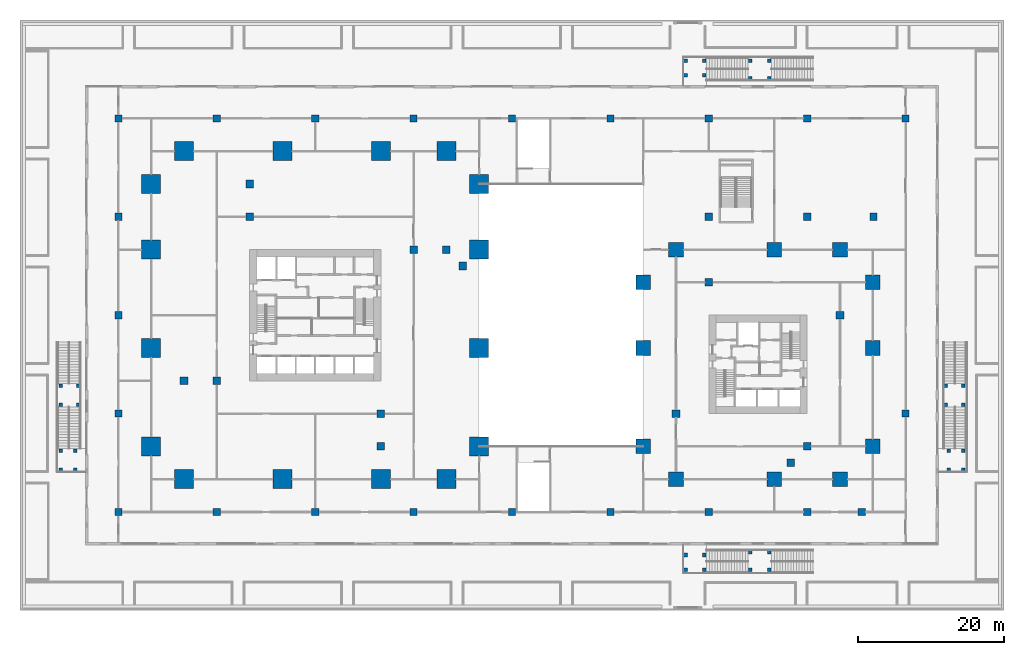
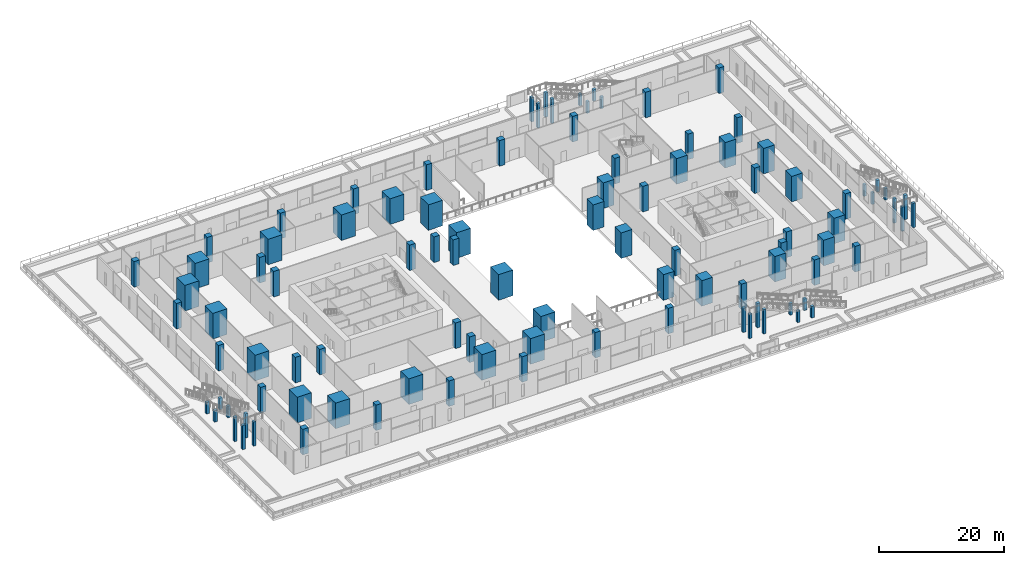
# One storey, part 1 of 49: 99 columns.
"""IFC4 building model written with IfcOpenShell, lengths in metres."""

from ifc_helpers import new_model, si_unit, direction, frame, origin, origin_2d, place, context, subcontext, project, spatial, rectangle, extrude, material, material_profile, profile_set, type_object, element, save


model = new_model("IFC4")

# Units and contexts
model_context = context("Model", 3, precision=1e-05, world=origin(), true_north=direction((0.0, 1.0)))
body_context = subcontext(model_context, "Body", "Model", "MODEL_VIEW")
ifc_project = project(units=[si_unit("LENGTHUNIT", "METRE"), si_unit("AREAUNIT", "SQUARE_METRE"), si_unit("VOLUMEUNIT", "CUBIC_METRE"), si_unit("PLANEANGLEUNIT", "RADIAN"), si_unit("MASSUNIT", "GRAM", prefix="KILO")], contexts=[model_context])

# Site, building, storey
site_placement = place(None, origin())
site = spatial("IfcSite", under=ifc_project, at=site_placement, CompositionType="ELEMENT")
building_placement = place(site_placement, origin())
building = spatial("IfcBuilding", under=site, at=building_placement, Name="Altepetl Exchange Towers", CompositionType="ELEMENT")
storey_placement = place(building_placement, frame((0.0, 0.0, 11.5)))
storey = spatial("IfcBuildingStorey", under=building, at=storey_placement, Name="L02 Exchange podium", CompositionType="ELEMENT", Elevation=11.5)

# Columns
ifc_material_1 = material(Name="Concrete C35/45", Category="concrete")
ifc_material_profile_1 = material_profile(ifc_material_1, rectangle(XDim=0.5, YDim=0.5, at=origin_2d()), Name="500 x 500")
ifc_profile_set_1 = profile_set([ifc_material_profile_1], Name="Concrete C35/45")
column_type_1 = type_object("IfcColumnType", Name="Garden steps pier 500", PredefinedType="COLUMN", material=ifc_profile_set_1)
for number, where, name in (
    (1, (100.300048828125, 16.60009765625, 0.0), "col:P:L02:R3pier0"),
    (2, (100.300048828125, 14.60009765625, 0.0), "col:P:L02:R3pier1"),
    (3, (102.89990234375, 16.60009765625, 0.0), "col:P:L02:R3pier2"),
    (4, (102.89990234375, 14.60009765625, 0.0), "col:P:L02:R3pier3"),
):
    element("IfcColumn", number, at=place(storey_placement, frame(where)), inside=storey, type_object=column_type_1, Name=name, PredefinedType="COLUMN", context=body_context, shape_type="SweptSolid", body=[
        extrude(rectangle(XDim=0.5, YDim=0.5, at=origin_2d()), origin(), (0.0, 0.0, 1.0), 4.75),
    ])
for number, where, name in (
    (5, (109.199951171875, 17.0, 0.0), "col:P:L02:R3pier4"),
    (6, (109.199951171875, 14.60009765625, 0.0), "col:P:L02:R3pier5"),
    (7, (111.800048828125, 17.0, 0.0), "col:P:L02:R3pier6"),
    (8, (111.800048828125, 14.60009765625, 0.0), "col:P:L02:R3pier7"),
):
    element("IfcColumn", number, at=place(storey_placement, frame(where)), inside=storey, type_object=column_type_1, Name=name, PredefinedType="COLUMN", context=body_context, shape_type="SweptSolid", body=[
        extrude(rectangle(XDim=0.5, YDim=0.5, at=origin_2d()), origin(), (0.0, 0.0, 1.0), 2.25),
    ])
for number, where, name in (
    (9, (100.300048828125, 82.39990234375, 0.0), "col:P:L02:R4pier0"),
    (10, (100.300048828125, 84.39990234375, 0.0), "col:P:L02:R4pier1"),
    (11, (102.89990234375, 82.39990234375, 0.0), "col:P:L02:R4pier2"),
    (12, (102.89990234375, 84.39990234375, 0.0), "col:P:L02:R4pier3"),
):
    element("IfcColumn", number, at=place(storey_placement, frame(where)), inside=storey, type_object=column_type_1, Name=name, PredefinedType="COLUMN", context=body_context, shape_type="SweptSolid", body=[
        extrude(rectangle(XDim=0.5, YDim=0.5, at=origin_2d()), origin(), (0.0, 0.0, 1.0), 4.75),
    ])
for number, where, name in (
    (13, (109.199951171875, 82.0, 0.0), "col:P:L02:R4pier4"),
    (14, (109.199951171875, 84.39990234375, 0.0), "col:P:L02:R4pier5"),
    (15, (111.800048828125, 82.0, 0.0), "col:P:L02:R4pier6"),
    (16, (111.800048828125, 84.39990234375, 0.0), "col:P:L02:R4pier7"),
):
    element("IfcColumn", number, at=place(storey_placement, frame(where)), inside=storey, type_object=column_type_1, Name=name, PredefinedType="COLUMN", context=body_context, shape_type="SweptSolid", body=[
        extrude(rectangle(XDim=0.5, YDim=0.5, at=origin_2d()), origin(), (0.0, 0.0, 1.0), 2.25),
    ])
for number, where, name in (
    (17, (16.60009765625, 28.300048828125, 0.0), "col:P:L02:R5pier0"),
    (18, (14.60009765625, 28.300048828125, 0.0), "col:P:L02:R5pier1"),
    (19, (16.60009765625, 30.89990234375, 0.0), "col:P:L02:R5pier2"),
    (20, (14.60009765625, 30.89990234375, 0.0), "col:P:L02:R5pier3"),
):
    element("IfcColumn", number, at=place(storey_placement, frame(where)), inside=storey, type_object=column_type_1, Name=name, PredefinedType="COLUMN", context=body_context, shape_type="SweptSolid", body=[
        extrude(rectangle(XDim=0.5, YDim=0.5, at=origin_2d()), origin(), (0.0, 0.0, 1.0), 4.75),
    ])
for number, where, name in (
    (21, (17.0, 37.199951171875, 0.0), "col:P:L02:R5pier4"),
    (22, (14.60009765625, 37.199951171875, 0.0), "col:P:L02:R5pier5"),
    (23, (17.0, 39.800048828125, 0.0), "col:P:L02:R5pier6"),
    (24, (14.60009765625, 39.800048828125, 0.0), "col:P:L02:R5pier7"),
):
    element("IfcColumn", number, at=place(storey_placement, frame(where)), inside=storey, type_object=column_type_1, Name=name, PredefinedType="COLUMN", context=body_context, shape_type="SweptSolid", body=[
        extrude(rectangle(XDim=0.5, YDim=0.5, at=origin_2d()), origin(), (0.0, 0.0, 1.0), 2.25),
    ])
for number, where, name in (
    (25, (136.39990234375, 28.300048828125, 0.0), "col:P:L02:R6pier0"),
    (26, (138.39990234375, 28.300048828125, 0.0), "col:P:L02:R6pier1"),
    (27, (136.39990234375, 30.89990234375, 0.0), "col:P:L02:R6pier2"),
    (28, (138.39990234375, 30.89990234375, 0.0), "col:P:L02:R6pier3"),
):
    element("IfcColumn", number, at=place(storey_placement, frame(where)), inside=storey, type_object=column_type_1, Name=name, PredefinedType="COLUMN", context=body_context, shape_type="SweptSolid", body=[
        extrude(rectangle(XDim=0.5, YDim=0.5, at=origin_2d()), origin(), (0.0, 0.0, 1.0), 4.75),
    ])
for number, where, name in (
    (29, (136.0, 37.199951171875, 0.0), "col:P:L02:R6pier4"),
    (30, (138.39990234375, 37.199951171875, 0.0), "col:P:L02:R6pier5"),
    (31, (136.0, 39.800048828125, 0.0), "col:P:L02:R6pier6"),
    (32, (138.39990234375, 39.800048828125, 0.0), "col:P:L02:R6pier7"),
):
    element("IfcColumn", number, at=place(storey_placement, frame(where)), inside=storey, type_object=column_type_1, Name=name, PredefinedType="COLUMN", context=body_context, shape_type="SweptSolid", body=[
        extrude(rectangle(XDim=0.5, YDim=0.5, at=origin_2d()), origin(), (0.0, 0.0, 1.0), 2.25),
    ])
ifc_material_2 = material(Name="Concrete C70/85", Category="concrete")
ifc_material_profile_2 = material_profile(ifc_material_2, rectangle(XDim=1.050048828125, YDim=1.050048828125, at=origin_2d()), Name="1050 x 1050")
ifc_profile_set_2 = profile_set([ifc_material_profile_2], Name="Concrete C70/85")
column_type_2 = type_object("IfcColumnType", Name="Interior column 1050", PredefinedType="COLUMN", material=ifc_profile_set_2)
for number, where, name in (
    (33, (31.5, 40.5, 0.0), "col:A:L02:040"),
    (34, (36.0, 40.5, 0.0), "col:A:L02:041"),
    (35, (40.5, 63.0, 0.0), "col:A:L02:042"),
    (36, (40.5, 67.5, 0.0), "col:A:L02:043"),
    (37, (58.5, 31.5, 0.0), "col:A:L02:044"),
    (38, (58.5, 36.0, 0.0), "col:A:L02:045"),
    (39, (63.0, 58.5, 0.0), "col:A:L02:046"),
    (40, (67.5, 58.5, 0.0), "col:A:L02:047"),
    (41, (69.75, 56.25, 0.0), "col:A:L02:048"),
    (42, (99.0, 36.0, 0.0), "col:B:L02:028"),
    (43, (103.5, 54.0, 0.0), "col:B:L02:029"),
    (44, (114.75, 29.25, 0.0), "col:B:L02:030"),
    (45, (117.0, 31.5, 0.0), "col:B:L02:031"),
    (46, (121.5, 49.5, 0.0), "col:B:L02:032"),
):
    element("IfcColumn", number, at=place(storey_placement, frame(where)), inside=storey, type_object=column_type_2, Name=name, PredefinedType="COLUMN", context=body_context, shape_type="SweptSolid", body=[
        extrude(rectangle(XDim=1.050048828125, YDim=1.050048828125, at=origin_2d()), origin(), (0.0, 0.0, 1.0), 5.0),
    ])
ifc_material_3 = material(Name="Concrete C70/85 precast with cantera amarilla facing", Category="concrete")
ifc_material_profile_3 = material_profile(ifc_material_3, rectangle(XDim=2.0, YDim=2.0, at=origin_2d()), Name="2000 x 2000")
ifc_profile_set_3 = profile_set([ifc_material_profile_3], Name="Concrete C70/85 precast with cantera amarilla facing")
column_type_3 = type_object("IfcColumnType", Name="Mega-column 2000 cantera amarilla", PredefinedType="COLUMN", material=ifc_profile_set_3)
for number, where, name in (
    (47, (112.5, 58.5, 0.0), "col:B:L02:m06"),
    (48, (121.5, 58.5, 0.0), "col:B:L02:m08"),
    (49, (126.0, 54.0, 0.0), "col:B:L02:m11"),
):
    element("IfcColumn", number, at=place(storey_placement, frame(where)), inside=storey, type_object=column_type_3, Name=name, PredefinedType="COLUMN", context=body_context, shape_type="SweptSolid", body=[
        extrude(rectangle(XDim=2.0, YDim=2.0, at=origin_2d()), origin(), (0.0, 0.0, 1.0), 5.0),
    ])
ifc_material_4 = material(Name="Concrete C70/85 precast with cantera blanca facing", Category="concrete")
ifc_material_profile_4 = material_profile(ifc_material_4, rectangle(XDim=2.0, YDim=2.0, at=origin_2d()), Name="2000 x 2000")
ifc_profile_set_4 = profile_set([ifc_material_profile_4], Name="Concrete C70/85 precast with cantera blanca facing")
column_type_4 = type_object("IfcColumnType", Name="Mega-column 2000 cantera blanca", PredefinedType="COLUMN", material=ifc_profile_set_4)
for number, where, name in (
    (50, (121.5, 27.0, 0.0), "col:B:L02:m07"),
    (51, (126.0, 31.5, 0.0), "col:B:L02:m09"),
    (52, (126.0, 45.0, 0.0), "col:B:L02:m10"),
):
    element("IfcColumn", number, at=place(storey_placement, frame(where)), inside=storey, type_object=column_type_4, Name=name, PredefinedType="COLUMN", context=body_context, shape_type="SweptSolid", body=[
        extrude(rectangle(XDim=2.0, YDim=2.0, at=origin_2d()), origin(), (0.0, 0.0, 1.0), 5.0),
    ])
ifc_material_5 = material(Name="Concrete C70/85 precast with cantera rosa facing", Category="concrete")
ifc_material_profile_5 = material_profile(ifc_material_5, rectangle(XDim=2.0, YDim=2.0, at=origin_2d()), Name="2000 x 2000")
ifc_profile_set_5 = profile_set([ifc_material_profile_5], Name="Concrete C70/85 precast with cantera rosa facing")
column_type_5 = type_object("IfcColumnType", Name="Mega-column 2000 cantera rosa", PredefinedType="COLUMN", material=ifc_profile_set_5)
for number, where, name in (
    (53, (94.5, 45.0, 0.0), "col:B:L02:m01"),
    (54, (94.5, 54.0, 0.0), "col:B:L02:m02"),
    (55, (99.0, 58.5, 0.0), "col:B:L02:m04"),
):
    element("IfcColumn", number, at=place(storey_placement, frame(where)), inside=storey, type_object=column_type_5, Name=name, PredefinedType="COLUMN", context=body_context, shape_type="SweptSolid", body=[
        extrude(rectangle(XDim=2.0, YDim=2.0, at=origin_2d()), origin(), (0.0, 0.0, 1.0), 5.0),
    ])
ifc_material_6 = material(Name="Concrete C70/85 precast with tezontle facing", Category="concrete")
ifc_material_profile_6 = material_profile(ifc_material_6, rectangle(XDim=2.0, YDim=2.0, at=origin_2d()), Name="2000 x 2000")
ifc_profile_set_6 = profile_set([ifc_material_profile_6], Name="Concrete C70/85 precast with tezontle facing")
column_type_6 = type_object("IfcColumnType", Name="Mega-column 2000 tezontle", PredefinedType="COLUMN", material=ifc_profile_set_6)
for number, where, name in (
    (56, (94.5, 31.5, 0.0), "col:B:L02:m00"),
    (57, (99.0, 27.0, 0.0), "col:B:L02:m03"),
    (58, (112.5, 27.0, 0.0), "col:B:L02:m05"),
):
    element("IfcColumn", number, at=place(storey_placement, frame(where)), inside=storey, type_object=column_type_6, Name=name, PredefinedType="COLUMN", context=body_context, shape_type="SweptSolid", body=[
        extrude(rectangle(XDim=2.0, YDim=2.0, at=origin_2d()), origin(), (0.0, 0.0, 1.0), 5.0),
    ])
ifc_material_profile_7 = material_profile(ifc_material_3, rectangle(XDim=2.60009765625, YDim=2.60009765625, at=origin_2d()), Name="2600 x 2600")
ifc_profile_set_7 = profile_set([ifc_material_profile_7], Name="Concrete C70/85 precast with cantera amarilla facing")
column_type_7 = type_object("IfcColumnType", Name="Mega-column 2600 cantera amarilla", PredefinedType="COLUMN", material=ifc_profile_set_7)
for number, where, name in (
    (59, (58.5, 27.0, 0.0), "col:A:L02:m08"),
    (60, (67.5, 27.0, 0.0), "col:A:L02:m10"),
    (61, (72.0, 31.5, 0.0), "col:A:L02:m12"),
    (62, (72.0, 45.0, 0.0), "col:A:L02:m13"),
):
    element("IfcColumn", number, at=place(storey_placement, frame(where)), inside=storey, type_object=column_type_7, Name=name, PredefinedType="COLUMN", context=body_context, shape_type="SweptSolid", body=[
        extrude(rectangle(XDim=2.60009765625, YDim=2.60009765625, at=origin_2d()), origin(), (0.0, 0.0, 1.0), 5.0),
    ])
ifc_material_profile_8 = material_profile(ifc_material_4, rectangle(XDim=2.60009765625, YDim=2.60009765625, at=origin_2d()), Name="2600 x 2600")
ifc_profile_set_8 = profile_set([ifc_material_profile_8], Name="Concrete C70/85 precast with cantera blanca facing")
column_type_8 = type_object("IfcColumnType", Name="Mega-column 2600 cantera blanca", PredefinedType="COLUMN", material=ifc_profile_set_8)
for number, where, name in (
    (63, (27.0, 31.5, 0.0), "col:A:L02:m00"),
    (64, (31.5, 27.0, 0.0), "col:A:L02:m04"),
    (65, (45.0, 27.0, 0.0), "col:A:L02:m06"),
):
    element("IfcColumn", number, at=place(storey_placement, frame(where)), inside=storey, type_object=column_type_8, Name=name, PredefinedType="COLUMN", context=body_context, shape_type="SweptSolid", body=[
        extrude(rectangle(XDim=2.60009765625, YDim=2.60009765625, at=origin_2d()), origin(), (0.0, 0.0, 1.0), 5.0),
    ])
ifc_material_profile_9 = material_profile(ifc_material_5, rectangle(XDim=2.60009765625, YDim=2.60009765625, at=origin_2d()), Name="2600 x 2600")
ifc_profile_set_9 = profile_set([ifc_material_profile_9], Name="Concrete C70/85 precast with cantera rosa facing")
column_type_9 = type_object("IfcColumnType", Name="Mega-column 2600 cantera rosa", PredefinedType="COLUMN", material=ifc_profile_set_9)
for number, where, name in (
    (66, (45.0, 72.0, 0.0), "col:A:L02:m07"),
    (67, (58.5, 72.0, 0.0), "col:A:L02:m09"),
    (68, (67.5, 72.0, 0.0), "col:A:L02:m11"),
    (69, (72.0, 58.5, 0.0), "col:A:L02:m14"),
    (70, (72.0, 67.5, 0.0), "col:A:L02:m15"),
):
    element("IfcColumn", number, at=place(storey_placement, frame(where)), inside=storey, type_object=column_type_9, Name=name, PredefinedType="COLUMN", context=body_context, shape_type="SweptSolid", body=[
        extrude(rectangle(XDim=2.60009765625, YDim=2.60009765625, at=origin_2d()), origin(), (0.0, 0.0, 1.0), 5.0),
    ])
ifc_material_profile_10 = material_profile(ifc_material_6, rectangle(XDim=2.60009765625, YDim=2.60009765625, at=origin_2d()), Name="2600 x 2600")
ifc_profile_set_10 = profile_set([ifc_material_profile_10], Name="Concrete C70/85 precast with tezontle facing")
column_type_10 = type_object("IfcColumnType", Name="Mega-column 2600 tezontle", PredefinedType="COLUMN", material=ifc_profile_set_10)
for number, where, name in (
    (71, (27.0, 45.0, 0.0), "col:A:L02:m01"),
    (72, (27.0, 58.5, 0.0), "col:A:L02:m02"),
    (73, (27.0, 67.5, 0.0), "col:A:L02:m03"),
    (74, (31.5, 72.0, 0.0), "col:A:L02:m05"),
):
    element("IfcColumn", number, at=place(storey_placement, frame(where)), inside=storey, type_object=column_type_10, Name=name, PredefinedType="COLUMN", context=body_context, shape_type="SweptSolid", body=[
        extrude(rectangle(XDim=2.60009765625, YDim=2.60009765625, at=origin_2d()), origin(), (0.0, 0.0, 1.0), 5.0),
    ])
ifc_material_profile_11 = material_profile(ifc_material_2, rectangle(XDim=1.0, YDim=1.0, at=origin_2d()), Name="1000 x 1000")
ifc_profile_set_11 = profile_set([ifc_material_profile_11], Name="Concrete C70/85")
column_type_11 = type_object("IfcColumnType", Name="Podium column 1000", PredefinedType="COLUMN", material=ifc_profile_set_11)
for number, where, name in (
    (75, (22.5, 22.5, 0.0), "col:P:L02:000"),
    (76, (22.5, 36.0, 0.0), "col:P:L02:001"),
    (77, (22.5, 49.5, 0.0), "col:P:L02:002"),
    (78, (22.5, 63.0, 0.0), "col:P:L02:003"),
    (79, (22.5, 76.5, 0.0), "col:P:L02:004"),
    (80, (36.0, 22.5, 0.0), "col:P:L02:005"),
    (81, (36.0, 76.5, 0.0), "col:P:L02:006"),
    (82, (49.5, 22.5, 0.0), "col:P:L02:007"),
    (83, (49.5, 76.5, 0.0), "col:P:L02:008"),
    (84, (63.0, 22.5, 0.0), "col:P:L02:009"),
    (85, (63.0, 76.5, 0.0), "col:P:L02:010"),
    (86, (76.5, 22.5, 0.0), "col:P:L02:011"),
    (87, (76.5, 76.5, 0.0), "col:P:L02:012"),
    (88, (90.0, 22.5, 0.0), "col:P:L02:013"),
    (89, (90.0, 76.5, 0.0), "col:P:L02:014"),
    (90, (103.5, 22.5, 0.0), "col:P:L02:015"),
    (91, (103.5, 63.0, 0.0), "col:P:L02:016"),
    (92, (103.5, 76.5, 0.0), "col:P:L02:017"),
    (93, (117.0, 22.5, 0.0), "col:P:L02:018"),
    (94, (117.0, 63.0, 0.0), "col:P:L02:019"),
    (95, (117.0, 76.5, 0.0), "col:P:L02:020"),
    (96, (124.5, 22.5, 0.0), "col:P:L02:021"),
    (97, (126.10009765625, 63.0, 0.0), "col:P:L02:022"),
    (98, (130.5, 36.0, 0.0), "col:P:L02:023"),
    (99, (130.5, 76.5, 0.0), "col:P:L02:024"),
):
    element("IfcColumn", number, at=place(storey_placement, frame(where)), inside=storey, type_object=column_type_11, Name=name, PredefinedType="COLUMN", context=body_context, shape_type="SweptSolid", body=[
        extrude(rectangle(XDim=1.0, YDim=1.0, at=origin_2d()), origin(), (0.0, 0.0, 1.0), 5.0),
    ])

save(model, "model.ifc")
